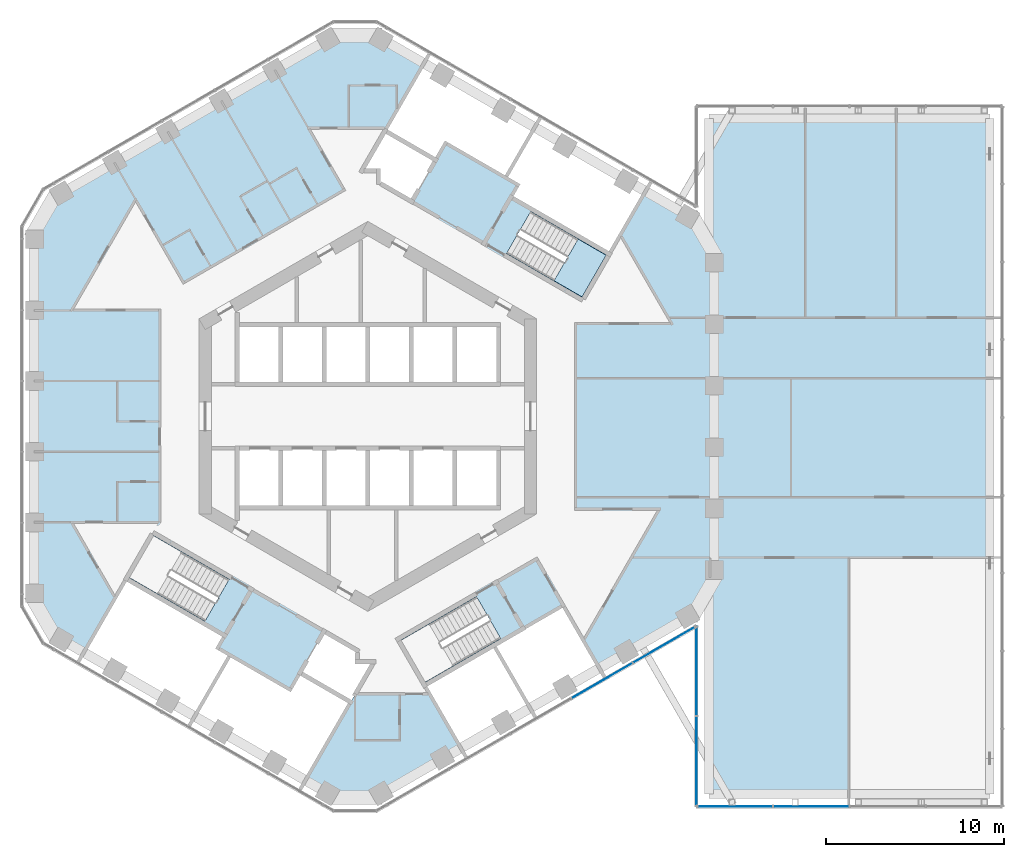
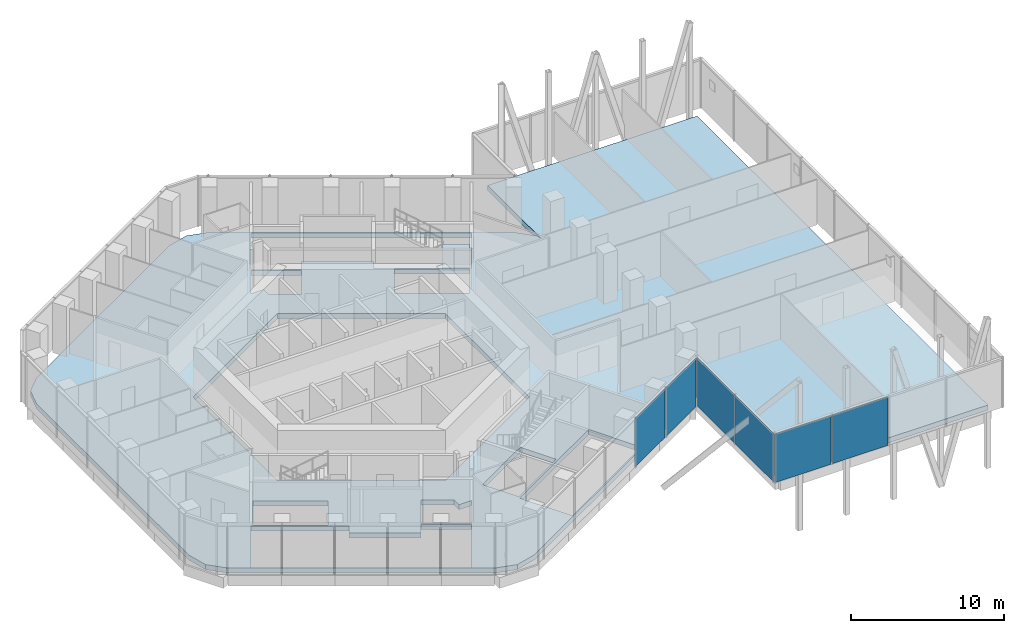
# One storey, part 13 of 24: 6 plates, 2 slabs, 4 elements without a shape of their own.
"""IFC4 building model written with IfcOpenShell, lengths in metres."""

from ifc_helpers import new_model, si_unit, direction, frame, origin, origin_2d, place, context, subcontext, project, spatial, polyline, rectangle, outline, extrude, material, layer, layer_set, type_object, element, aggregate, save


model = new_model("IFC4")

# Units and contexts
model_context = context("Model", 3, precision=1e-05, world=origin(), true_north=direction((0.0, 1.0)))
body_context = subcontext(model_context, "Body", "Model", "MODEL_VIEW")
ifc_project = project(units=[si_unit("LENGTHUNIT", "METRE"), si_unit("AREAUNIT", "SQUARE_METRE"), si_unit("VOLUMEUNIT", "CUBIC_METRE"), si_unit("PLANEANGLEUNIT", "RADIAN"), si_unit("MASSUNIT", "GRAM", prefix="KILO")], contexts=[model_context])

# Site, building, storey
site_placement = place(None, origin())
site = spatial("IfcSite", under=ifc_project, at=site_placement, CompositionType="ELEMENT")
building_placement = place(site_placement, origin())
building = spatial("IfcBuilding", under=site, at=building_placement, Name="Ayvan Gate Tower", CompositionType="ELEMENT")
storey_placement = place(building_placement, frame((0.0, 0.0, 124.5)))
storey = spatial("IfcBuildingStorey", under=building, at=storey_placement, Name="L33", CompositionType="ELEMENT", Elevation=124.5)

# Slab
ifc_material_1 = material(Name="Concrete C40/50", Category="concrete")
ifc_layer_1 = layer(ifc_material_1, 0.39990234375)
ifc_layer_set_1 = layer_set([ifc_layer_1], Name="Concrete C40/50")
slab_type_1 = type_object("IfcSlabType", Name="Post-tensioned flat slab 400", PredefinedType="FLOOR", material=ifc_layer_set_1)
slab_1_placement = place(storey_placement, frame((0.0, 0.0, -0.39990234375)))
element("IfcSlab", 1, at=slab_1_placement, inside=storey, type_object=slab_type_1, Name="SL-L33", PredefinedType="FLOOR", context=body_context, shape_type="SweptSolid", body=[
    extrude(outline(polyline([(-2.22265625, -21.216796875), (-17.262939453125, -12.533203125), (-18.361083984375, -11.43505859375), (-18.762939453125, -9.93505859375), (-18.762939453125, 9.93505859375), (-18.361083984375, 11.43505859375), (-17.262939453125, 12.533203125), (-2.22265625, 21.216796875), (-0.72265625, 21.61865234375), (0.77734375, 21.216796875), (17.985595703125, 11.281494140625), (19.083740234375, 10.18359375), (19.185546875, 9.80322265625), (19.185546875, 16.75), (34.985595703125, 16.75), (34.985595703125, -21.25), (19.185546875, -21.25), (19.185546875, -9.80322265625), (19.083740234375, -10.18359375), (17.985595703125, -11.281494140625), (0.77734375, -21.216796875), (-0.72265625, -21.61865234375), (-2.22265625, -21.216796875)]), holes=[polyline([(8.44287109375, 13.0234375), (8.042724609375, 12.33056640625), (13.58544921875, 9.130615234375), (15.56689453125, 12.5625), (3.09619140625, 19.762451171875), (1.0146484375, 16.157470703125), (3.87255859375, 14.50732421875), (4.37255859375, 15.373291015625), (7.75, 13.42333984375), (8.44287109375, 13.0234375)]), polyline([(7.80615234375, 9.170654296875), (12.049560546875, 6.720458984375), (13.404541015625, 9.0673828125), (9.1611328125, 11.517578125), (7.80615234375, 9.170654296875)]), polyline([(7.090087890625, -12.880615234375), (3.193115234375, -15.130615234375), (3.474853515625, -15.61865234375), (4.54248046875, -17.468017578125), (5.174560546875, -18.5625), (12.96875, -14.0625), (12.13525390625, -12.61865234375), (11.92626953125, -12.2568359375), (10.9873046875, -10.630615234375), (8.735595703125, -11.9306640625), (7.090087890625, -12.880615234375)]), polyline([(-9.5, -5.48486328125), (0.0, -10.9697265625), (9.5, -5.48486328125), (9.5, 5.48486328125), (0.0, 10.9697265625), (-9.5, 5.48486328125), (-9.5, -5.48486328125)]), polyline([(6.117431640625, -10.1455078125), (1.873779296875, -12.595458984375), (3.228759765625, -14.9423828125), (7.472412109375, -12.492431640625), (6.117431640625, -10.1455078125)]), polyline([(0.964599609375, 16.07080078125), (-0.340576171875, 13.81005859375), (0.60009765625, 13.81005859375), (0.60009765625, 13.16357421875), (2.472412109375, 12.08251953125), (3.822509765625, 14.420654296875), (0.964599609375, 16.07080078125)]), polyline([(-0.60009765625, -13.16357421875), (-2.472412109375, -12.08251953125), (-3.822509765625, -14.420654296875), (-0.964599609375, -16.07080078125), (-0.70361328125, -15.61865234375), (0.340576171875, -13.81005859375), (-0.60009765625, -13.81005859375), (-0.60009765625, -13.16357421875)]), polyline([(-15.92822265625, -13.1884765625), (-3.45751953125, -20.388427734375), (-1.0146484375, -16.157470703125), (-3.87255859375, -14.50732421875), (-4.37255859375, -15.373291015625), (-7.75, -13.42333984375), (-8.44287109375, -13.0234375), (-8.042724609375, -12.33056640625), (-13.58544921875, -9.130615234375), (-14.23681640625, -10.259033203125), (-15.92822265625, -13.1884765625)]), polyline([(-13.404541015625, -9.0673828125), (-9.1611328125, -11.517578125), (-7.80615234375, -9.170654296875), (-12.049560546875, -6.720458984375), (-13.404541015625, -9.0673828125)])]), origin(), (0.0, 0.0, 1.0), 0.39990234375),
])

# Stair, slab
stair_type = type_object("IfcStairType", Name="ST-EXIT", PredefinedType="HALF_TURN_STAIR", material=ifc_material_1)
stair_placement = place(storey_placement, origin())
stair = element("IfcStair", 2, at=stair_placement, inside=storey, type_object=stair_type, Name="L33 Exit Stair S1", PredefinedType="HALF_TURN_STAIR")
ifc_layer_2 = layer(ifc_material_1, 0.199951171875)
ifc_layer_set_2 = layer_set([ifc_layer_2], Name="Concrete C40/50")
slab_type_2 = type_object("IfcSlabType", Name="SL-LANDING-200", PredefinedType="LANDING", material=ifc_layer_set_2)
slab_2_placement = place(storey_placement, frame((0.0, 0.0, 1.800048828125)))
slab_2 = element("IfcSlab", 3, at=slab_2_placement, type_object=slab_type_2, Name="STS1 landing 1", PredefinedType="LANDING", context=body_context, shape_type="SweptSolid", body=[
    extrude(outline(polyline([(10.473388671875, 7.630615234375), (12.049560546875, 6.720458984375), (13.404541015625, 9.0673828125), (11.828369140625, 9.9775390625), (10.473388671875, 7.630615234375)])), origin(), (0.0, 0.0, 1.0), 0.199951171875),
])
aggregate(stair, [slab_2])

# Curtain wall, plates
ifc_material_2 = material(Name="Bronze anodised aluminium", Category="aluminium")
ifc_layer_3 = layer(ifc_material_2, 0.199951171875)
ifc_layer_set_3 = layer_set([ifc_layer_3], Name="Bronze anodised aluminium")
curtain_wall_type_1 = type_object("IfcCurtainWallType", Name="Stick curtain wall CW-1", PredefinedType="NOTDEFINED", material=ifc_layer_set_3)
curtain_wall_1_placement = place(storey_placement, origin())
curtain_wall_1 = element("IfcCurtainWall", 4, at=curtain_wall_1_placement, inside=storey, type_object=curtain_wall_type_1, Name="Stick curtain wall CW-1 L33", PredefinedType="NOTDEFINED")
ifc_material_3 = material(Name="Clear low-iron laminated glass", Category="glass")
ifc_layer_4 = layer(ifc_material_3, 0.028076171875)
ifc_layer_set_4 = layer_set([ifc_layer_4], Name="Clear low-iron laminated glass")
plate_type_1 = type_object("IfcPlateType", Name="Stick curtain wall CW-1 glass panel", PredefinedType="CURTAIN_PANEL", material=ifc_layer_set_4)
plate_1_placement = place(storey_placement, frame((13.18017578125, -14.8642578125, 0.0), z_axis=(0.0, 0.0, 1.0), x_axis=(0.866025403784, 0.5, 0.0)))
plate_1 = element("IfcPlate", 5, at=plate_1_placement, type_object=plate_type_1, Name="CW-1 glass panel 4", PredefinedType="CURTAIN_PANEL", context=body_context, shape_type="SweptSolid", body=[
    extrude(rectangle(XDim=3.923095703125, YDim=0.028076171875, at=origin_2d()), origin(), (0.0, 0.0, 1.0), 3.8798828125),
])
plate_2_placement = place(storey_placement, frame((16.66015625, -12.855224609375, 0.0), z_axis=(0.0, 0.0, 1.0), x_axis=(0.866025403784, 0.5, 0.0)))
plate_2 = element("IfcPlate", 6, at=plate_2_placement, type_object=plate_type_1, Name="CW-1 glass panel 5", PredefinedType="CURTAIN_PANEL", context=body_context, shape_type="SweptSolid", body=[
    extrude(rectangle(XDim=3.99365234375, YDim=0.028076171875, at=origin_2d()), origin(), (0.0, 0.0, 1.0), 3.8798828125),
])
aggregate(curtain_wall_1, [plate_1, plate_2])

ifc_layer_5 = layer(ifc_material_2, 0.199951171875)
ifc_layer_set_5 = layer_set([ifc_layer_5], Name="Bronze anodised aluminium")
curtain_wall_type_2 = type_object("IfcCurtainWallType", Name="Stick curtain wall CW-4", PredefinedType="NOTDEFINED", material=ifc_layer_set_5)
curtain_wall_2_placement = place(storey_placement, origin())
curtain_wall_2 = element("IfcCurtainWall", 7, at=curtain_wall_2_placement, inside=storey, type_object=curtain_wall_type_2, Name="Stick curtain wall CW-4 L33", PredefinedType="NOTDEFINED")
ifc_material_4 = material(Name="Pale anodised aluminium composite panel", Category="aluminium")
ifc_layer_6 = layer(ifc_material_4, 0.028076171875)
ifc_layer_set_6 = layer_set([ifc_layer_6], Name="Pale anodised aluminium composite panel")
plate_type_2 = type_object("IfcPlateType", Name="Stick curtain wall CW-4 solid panel", PredefinedType="CURTAIN_PANEL", material=ifc_layer_set_6)
plate_3_placement = place(storey_placement, frame((20.635498046875, -21.949951171875, 0.0), z_axis=(0.0, 0.0, 1.0), x_axis=(1.0, 0.0, 0.0)))
plate_3 = element("IfcPlate", 8, at=plate_3_placement, type_object=plate_type_2, Name="CW-4 solid panel 1", PredefinedType="CURTAIN_PANEL", context=body_context, shape_type="SweptSolid", body=[
    extrude(rectangle(XDim=4.219970703125, YDim=0.028076171875, at=origin_2d()), origin(), (0.0, 0.0, 1.0), 3.860107421875),
])
plate_4_placement = place(storey_placement, frame((24.935546875, -21.949951171875, 0.0), z_axis=(0.0, 0.0, 1.0), x_axis=(1.0, 0.0, 0.0)))
plate_4 = element("IfcPlate", 9, at=plate_4_placement, type_object=plate_type_2, Name="CW-4 solid panel 2", PredefinedType="CURTAIN_PANEL", context=body_context, shape_type="SweptSolid", body=[
    extrude(rectangle(XDim=4.219970703125, YDim=0.028076171875, at=origin_2d()), origin(), (0.0, 0.0, 1.0), 3.860107421875),
])
aggregate(curtain_wall_2, [plate_3, plate_4])

curtain_wall_3_placement = place(storey_placement, origin())
curtain_wall_3 = element("IfcCurtainWall", 10, at=curtain_wall_3_placement, inside=storey, type_object=curtain_wall_type_2, Name="Stick curtain wall CW-4 L33", PredefinedType="NOTDEFINED")
plate_5_placement = place(storey_placement, frame((18.485595703125, -14.316162109375, 0.0), z_axis=(0.0, 0.0, 1.0), x_axis=(0.0, -1.0, 0.0)))
plate_5 = element("IfcPlate", 11, at=plate_5_placement, type_object=plate_type_2, Name="CW-4 solid panel 1", PredefinedType="CURTAIN_PANEL", context=body_context, shape_type="SweptSolid", body=[
    extrude(rectangle(XDim=5.00927734375, YDim=0.028076171875, at=origin_2d()), origin(), (0.0, 0.0, 1.0), 3.860107421875),
])
plate_6_placement = place(storey_placement, frame((18.485595703125, -19.4052734375, 0.0), z_axis=(0.0, 0.0, 1.0), x_axis=(0.0, -1.0, 0.0)))
plate_6 = element("IfcPlate", 12, at=plate_6_placement, type_object=plate_type_2, Name="CW-4 solid panel 2", PredefinedType="CURTAIN_PANEL", context=body_context, shape_type="SweptSolid", body=[
    extrude(rectangle(XDim=5.00927734375, YDim=0.028076171875, at=origin_2d()), origin(), (0.0, 0.0, 1.0), 3.860107421875),
])
aggregate(curtain_wall_3, [plate_5, plate_6])

save(model, "model.ifc")
